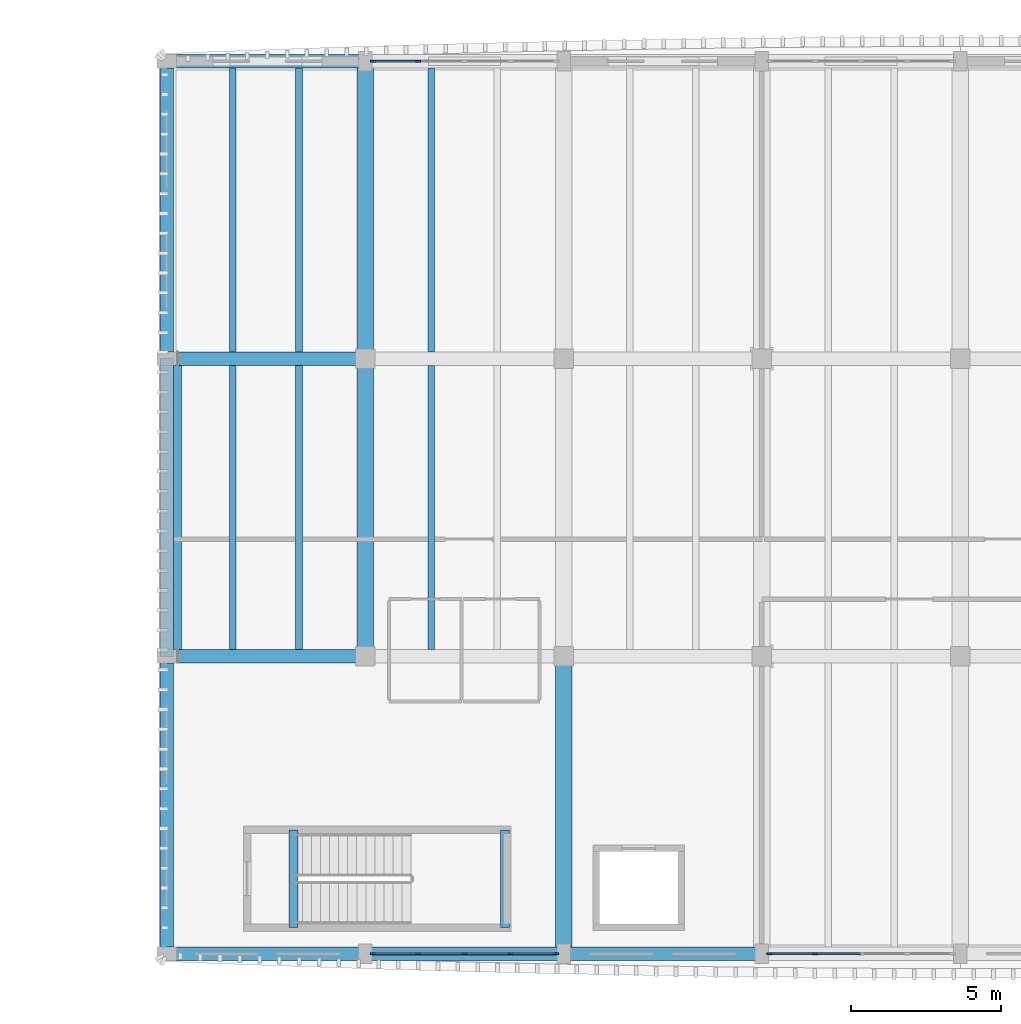
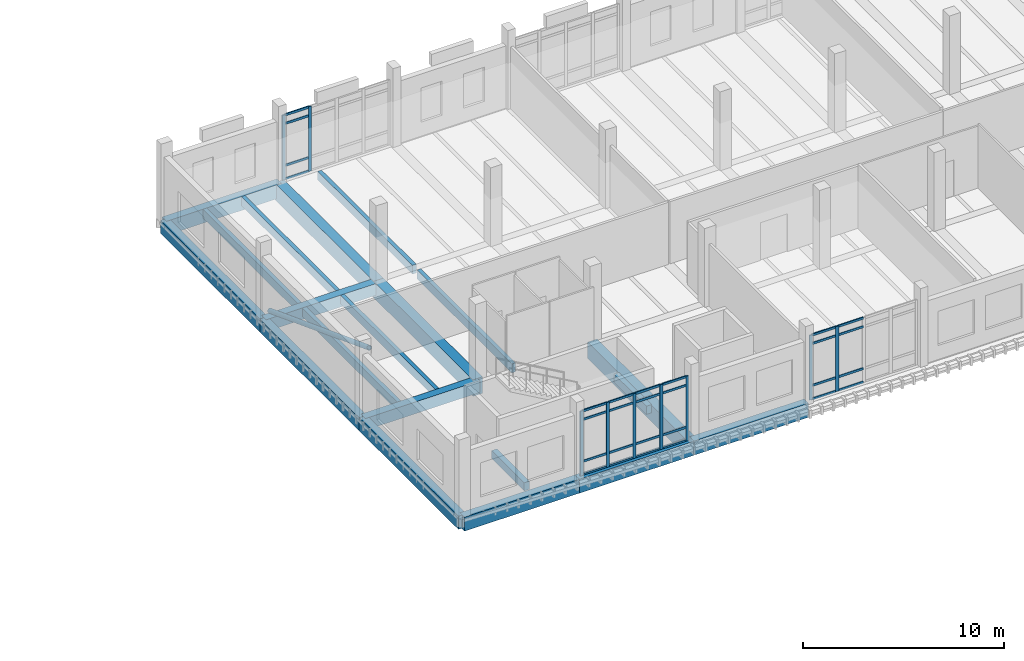
# One storey, part 8 of 39: 38 members, 20 beams, 3 elements without a shape of their own.
"""IFC4 building model written with IfcOpenShell, lengths in metres."""

from ifc_helpers import new_model, si_unit, direction, frame, origin, origin_2d, place, context, subcontext, project, spatial, rectangle, hollow_circle, extrude, material, material_profile, profile_set, type_object, element, aggregate, save


model = new_model("IFC4")

# Units and contexts
model_context = context("Model", 3, precision=1e-05, world=origin(), true_north=direction((0.0, 1.0)))
body_context = subcontext(model_context, "Body", "Model", "MODEL_VIEW")
ifc_project = project(units=[si_unit("LENGTHUNIT", "METRE"), si_unit("AREAUNIT", "SQUARE_METRE"), si_unit("VOLUMEUNIT", "CUBIC_METRE"), si_unit("PLANEANGLEUNIT", "RADIAN"), si_unit("MASSUNIT", "GRAM", prefix="KILO")], contexts=[model_context])

# Site, building, storey
site_placement = place(None, origin())
site = spatial("IfcSite", under=ifc_project, at=site_placement, CompositionType="ELEMENT")
building_placement = place(site_placement, origin())
building = spatial("IfcBuilding", under=site, at=building_placement, Name="Dornvale Research Institute", CompositionType="ELEMENT")
storey_placement = place(building_placement, frame((0.0, 0.0, 24.60009765625)))
storey = spatial("IfcBuildingStorey", under=building, at=storey_placement, Name="L05", CompositionType="ELEMENT", Elevation=24.60009765625)

# Beams
ifc_material_1 = material(Name="Concrete f'c 45 MPa (C35/45)", Category="concrete")
ifc_material_profile_1 = material_profile(ifc_material_1, rectangle(XDim=0.300048828125, YDim=0.5, at=origin_2d()), Name="RC 300x500")
ifc_profile_set_1 = profile_set([ifc_material_profile_1], Name="Concrete f'c 45 MPa (C35/45)")
beam_type_1 = type_object("IfcBeamType", Name="Beam_RC300x500_Trim", PredefinedType="BEAM", material=ifc_profile_set_1)
for number, where, z_axis, x_axis, name in (
    (1, (123.02001953125, 93.280029296875, -0.25), (0.0, 1.0, 0.0), (-1.0, 0.0, 0.0), "L05 ST-3 stair landing trimmer beam #52"),
    (2, (130.050048828125, 93.280029296875, 1.949951171875), (0.0, 1.0, 0.0), (-1.0, 0.0, 0.0), "L05 ST-3 half-landing support beam #61"),
):
    element("IfcBeam", number, at=place(storey_placement, frame(where, z_axis=z_axis, x_axis=x_axis)), inside=storey, type_object=beam_type_1, Name=name, PredefinedType="BEAM", context=body_context, shape_type="SweptSolid", body=[
        extrude(rectangle(XDim=0.300048828125, YDim=0.5, at=origin_2d()), origin(), (0.0, 0.0, 1.0), 3.239990234375),
    ])
ifc_material_2 = material(Name="Concrete f'c 45 MPa (C35/45)", Category="concrete")
ifc_material_profile_2 = material_profile(ifc_material_2, rectangle(XDim=0.449951171875, YDim=0.715087890625, at=origin_2d()), Name="RC 450x715")
ifc_profile_set_2 = profile_set([ifc_material_profile_2], Name="Concrete f'c 45 MPa (C35/45)")
beam_type_2 = type_object("IfcBeamType", Name="Beam_RC450x715_Lab", PredefinedType="BEAM", material=ifc_profile_set_2)
for number, where, z_axis, x_axis, name in (
    (3, (118.800048828125, 102.300048828125, -0.357666015625), (1.0, 0.0, 0.0), (0.0, 1.0, 0.0), "L05 primary girder #1389"),
    (4, (118.800048828125, 112.199951171875, -0.357666015625), (1.0, 0.0, 0.0), (0.0, 1.0, 0.0), "L05 primary girder #1397"),
):
    element("IfcBeam", number, at=place(storey_placement, frame(where, z_axis=z_axis, x_axis=x_axis)), inside=storey, type_object=beam_type_2, Name=name, PredefinedType="BEAM", context=body_context, shape_type="SweptSolid", body=[
        extrude(rectangle(XDim=0.449951171875, YDim=0.715087890625, at=origin_2d()), origin(), (0.0, 0.0, 1.0), 6.599853515625),
    ])
ifc_material_3 = material(Name="Concrete f'c 45 MPa (C35/45)", Category="concrete")
ifc_material_profile_3 = material_profile(ifc_material_3, rectangle(XDim=0.550048828125, YDim=1.0, at=origin_2d()), Name="RC 550x1000")
ifc_profile_set_3 = profile_set([ifc_material_profile_3], Name="Concrete f'c 45 MPa (C35/45)")
beam_type_3 = type_object("IfcBeamType", Name="Beam_RC550x1000_Girder", PredefinedType="BEAM", material=ifc_profile_set_3)
beam_1_placement = place(storey_placement, frame((125.39990234375, 102.300048828125, -0.5), z_axis=(0.0, 1.0, 0.0), x_axis=(-1.0, 0.0, 0.0)))
element("IfcBeam", 5, at=beam_1_placement, inside=storey, type_object=beam_type_3, Name="L05 transverse girder #1416", PredefinedType="BEAM", context=body_context, shape_type="SweptSolid", body=[
    extrude(rectangle(XDim=0.550048828125, YDim=1.0, at=origin_2d()), origin(), (0.0, 0.0, 1.0), 9.89990234375),
])
for number, where, z_axis, x_axis, name in (
    (6, (125.39990234375, 112.199951171875, -0.5), (0.0, 1.0, 0.0), (-1.0, 0.0, 0.0), "L05 transverse girder #1417"),
    (7, (132.0, 92.39990234375, -0.5), (0.0, 1.0, 0.0), (-1.0, 0.0, 0.0), "L05 transverse girder #1418"),
):
    element("IfcBeam", number, at=place(storey_placement, frame(where, z_axis=z_axis, x_axis=x_axis)), inside=storey, type_object=beam_type_3, Name=name, PredefinedType="BEAM", context=body_context, shape_type="SweptSolid", body=[
        extrude(rectangle(XDim=0.550048828125, YDim=1.0, at=origin_2d()), origin(), (0.0, 0.0, 1.0), 9.900146484375),
    ])

# Member
ifc_material_4 = material(Name="Steel ASTM A500 Grade C", Category="steel")
ifc_material_profile_4 = material_profile(ifc_material_4, hollow_circle(Radius=0.136474609375, WallThickness=0.01171875, at=origin_2d()), Name="HSS273X12.7")
ifc_profile_set_4 = profile_set([ifc_material_profile_4], Name="Steel ASTM A500 Grade C")
member_type_1 = type_object("IfcMemberType", Name="Brace_HSS273_Round", PredefinedType="BRACE", material=ifc_profile_set_4)
member_1_placement = place(storey_placement, frame((119.159912109375, 112.199951171875, 0.2998046875), z_axis=(0.0, -0.935158287794, 0.354230118385), x_axis=(1.0, 0.0, 0.0)))
element("IfcMember", 8, at=member_1_placement, inside=storey, type_object=member_type_1, Name="L05 seismic diagonal brace #49", PredefinedType="BRACE", context=body_context, shape_type="SweptSolid", body=[
    extrude(hollow_circle(Radius=0.136474609375, WallThickness=0.01171875, at=origin_2d()), origin(), (0.0, 0.0, 1.0), 10.58642578125),
])

# Beams
ifc_material_5 = material(Name="Concrete f'c 45 MPa (C35/45)", Category="concrete")
ifc_material_profile_5 = material_profile(ifc_material_5, rectangle(XDim=0.219970703125, YDim=0.534912109375, at=origin_2d()), Name="RC 220x535")
ifc_profile_set_5 = profile_set([ifc_material_profile_5], Name="Concrete f'c 45 MPa (C35/45)")
beam_type_4 = type_object("IfcBeamType", Name="Joist_RC220x535_Waffle", PredefinedType="JOIST", material=ifc_profile_set_5)
for number, where, z_axis, x_axis, name in (
    (9, (121.0, 102.52490234375, -0.267578125), (0.0, 1.0, 0.0), (-1.0, 0.0, 0.0), "L05 laboratory waffle joist #658"),
    (10, (123.199951171875, 102.52490234375, -0.267578125), (0.0, 1.0, 0.0), (-1.0, 0.0, 0.0), "L05 laboratory waffle joist #659"),
):
    element("IfcBeam", number, at=place(storey_placement, frame(where, z_axis=z_axis, x_axis=x_axis)), inside=storey, type_object=beam_type_4, Name=name, PredefinedType="JOIST", context=body_context, shape_type="SweptSolid", body=[
        extrude(rectangle(XDim=0.219970703125, YDim=0.534912109375, at=origin_2d()), origin(), (0.0, 0.0, 1.0), 9.4501953125),
    ])
for number, where, z_axis, x_axis, name in (
    (11, (121.0, 112.425048828125, -0.267578125), (0.0, 1.0, 0.0), (-1.0, 0.0, 0.0), "L05 laboratory waffle joist #660"),
    (12, (123.199951171875, 112.425048828125, -0.267578125), (0.0, 1.0, 0.0), (-1.0, 0.0, 0.0), "L05 laboratory waffle joist #661"),
):
    element("IfcBeam", number, at=place(storey_placement, frame(where, z_axis=z_axis, x_axis=x_axis)), inside=storey, type_object=beam_type_4, Name=name, PredefinedType="JOIST", context=body_context, shape_type="SweptSolid", body=[
        extrude(rectangle(XDim=0.219970703125, YDim=0.534912109375, at=origin_2d()), origin(), (0.0, 0.0, 1.0), 9.449951171875),
    ])
beam_2_placement = place(storey_placement, frame((127.60009765625, 102.52490234375, -0.267578125), z_axis=(0.0, 1.0, 0.0), x_axis=(-1.0, 0.0, 0.0)))
element("IfcBeam", 13, at=beam_2_placement, inside=storey, type_object=beam_type_4, Name="L05 laboratory waffle joist #662", PredefinedType="JOIST", context=body_context, shape_type="SweptSolid", body=[
    extrude(rectangle(XDim=0.219970703125, YDim=0.534912109375, at=origin_2d()), origin(), (0.0, 0.0, 1.0), 9.4501953125),
])
beam_3_placement = place(storey_placement, frame((127.60009765625, 112.425048828125, -0.267578125), z_axis=(0.0, 1.0, 0.0), x_axis=(-1.0, 0.0, 0.0)))
element("IfcBeam", 14, at=beam_3_placement, inside=storey, type_object=beam_type_4, Name="L05 laboratory waffle joist #664", PredefinedType="JOIST", context=body_context, shape_type="SweptSolid", body=[
    extrude(rectangle(XDim=0.219970703125, YDim=0.534912109375, at=origin_2d()), origin(), (0.0, 0.0, 1.0), 9.449951171875),
])

# Curtain wall, members
ifc_material_6 = material(Name="Low-E Argon Double Insulating Glazing Unit", Category="glass")
curtain_wall_type = type_object("IfcCurtainWallType", Name="UnitisedCurtainWall_V4_6150x3950", PredefinedType="USERDEFINED", material=ifc_material_6)
curtain_wall_1_placement = place(storey_placement, origin())
curtain_wall_1 = element("IfcCurtainWall", 15, at=curtain_wall_1_placement, inside=storey, type_object=curtain_wall_type, Name="L05 V4 unitised curtain wall CW-15 #109", ObjectType="UNITISED CURTAIN WALL", PredefinedType="USERDEFINED")
ifc_material_7 = material(Name="Anodized Aluminum AA 6063-T6 Thermally Broken Frame", Category="aluminium")
ifc_material_profile_6 = material_profile(ifc_material_7, rectangle(XDim=0.06494140625, YDim=0.179931640625, at=origin_2d()), Name="ALU MULLION 65x180")
ifc_profile_set_6 = profile_set([ifc_material_profile_6], Name="Anodized Aluminum AA 6063-T6 Thermally Broken Frame")
member_type_2 = type_object("IfcMemberType", Name="Mullion_CW_65x180", PredefinedType="MULLION", material=ifc_profile_set_6)
member_2_placement = place(storey_placement, frame((125.657470703125, 122.10009765625, 0.0), z_axis=(0.0, 0.0, 1.0), x_axis=(0.0, 1.0, 0.0)))
member_2 = element("IfcMember", 16, at=member_2_placement, type_object=member_type_2, Name="CW-15 mullion 1", PredefinedType="MULLION", context=body_context, shape_type="SweptSolid", body=[
    extrude(rectangle(XDim=0.06494140625, YDim=0.179931640625, at=origin_2d()), origin(), (0.0, 0.0, 1.0), 3.949951171875),
])
member_3_placement = place(storey_placement, frame((127.16259765625, 122.10009765625, 0.0), z_axis=(0.0, 0.0, 1.0), x_axis=(0.0, 1.0, 0.0)))
member_3 = element("IfcMember", 17, at=member_3_placement, type_object=member_type_2, Name="CW-15 mullion 2", PredefinedType="MULLION", context=body_context, shape_type="SweptSolid", body=[
    extrude(rectangle(XDim=0.06494140625, YDim=0.179931640625, at=origin_2d()), origin(), (0.0, 0.0, 1.0), 3.949951171875),
])

curtain_wall_2_placement = place(storey_placement, origin())
curtain_wall_2 = element("IfcCurtainWall", 18, at=curtain_wall_2_placement, inside=storey, type_object=curtain_wall_type, Name="L05 V4 unitised curtain wall CW-15 #115", ObjectType="UNITISED CURTAIN WALL", PredefinedType="USERDEFINED")
member_4_placement = place(storey_placement, frame((140.362548828125, 92.39990234375, 0.0), z_axis=(0.0, 0.0, 1.0), x_axis=(0.0, -1.0, 0.0)))
member_4 = element("IfcMember", 19, at=member_4_placement, type_object=member_type_2, Name="CW-15 mullion 4", PredefinedType="MULLION", context=body_context, shape_type="SweptSolid", body=[
    extrude(rectangle(XDim=0.06494140625, YDim=0.179931640625, at=origin_2d()), origin(), (0.0, 0.0, 1.0), 3.949951171875),
])
member_5_placement = place(storey_placement, frame((138.857421875, 92.39990234375, 0.0), z_axis=(0.0, 0.0, 1.0), x_axis=(0.0, -1.0, 0.0)))
member_5 = element("IfcMember", 20, at=member_5_placement, type_object=member_type_2, Name="CW-15 mullion 5", PredefinedType="MULLION", context=body_context, shape_type="SweptSolid", body=[
    extrude(rectangle(XDim=0.06494140625, YDim=0.179931640625, at=origin_2d()), origin(), (0.0, 0.0, 1.0), 3.949951171875),
])

curtain_wall_3_placement = place(storey_placement, origin())
curtain_wall_3 = element("IfcCurtainWall", 21, at=curtain_wall_3_placement, inside=storey, type_object=curtain_wall_type, Name="L05 V4 unitised curtain wall CW-15 #116", ObjectType="UNITISED CURTAIN WALL", PredefinedType="USERDEFINED")
member_6_placement = place(storey_placement, frame((131.742431640625, 92.39990234375, 0.0), z_axis=(0.0, 0.0, 1.0), x_axis=(0.0, -1.0, 0.0)))
member_6 = element("IfcMember", 22, at=member_6_placement, type_object=member_type_2, Name="CW-15 mullion 1", PredefinedType="MULLION", context=body_context, shape_type="SweptSolid", body=[
    extrude(rectangle(XDim=0.06494140625, YDim=0.179931640625, at=origin_2d()), origin(), (0.0, 0.0, 1.0), 3.949951171875),
])
member_7_placement = place(storey_placement, frame((130.237548828125, 92.39990234375, 0.0), z_axis=(0.0, 0.0, 1.0), x_axis=(0.0, -1.0, 0.0)))
member_7 = element("IfcMember", 23, at=member_7_placement, type_object=member_type_2, Name="CW-15 mullion 2", PredefinedType="MULLION", context=body_context, shape_type="SweptSolid", body=[
    extrude(rectangle(XDim=0.06494140625, YDim=0.179931640625, at=origin_2d()), origin(), (0.0, 0.0, 1.0), 3.949951171875),
])
member_8_placement = place(storey_placement, frame((128.699951171875, 92.39990234375, 0.0), z_axis=(0.0, 0.0, 1.0), x_axis=(0.0, -1.0, 0.0)))
member_8 = element("IfcMember", 24, at=member_8_placement, type_object=member_type_2, Name="CW-15 mullion 3", PredefinedType="MULLION", context=body_context, shape_type="SweptSolid", body=[
    extrude(rectangle(XDim=0.06494140625, YDim=0.179931640625, at=origin_2d()), origin(), (0.0, 0.0, 1.0), 3.949951171875),
])
member_9_placement = place(storey_placement, frame((127.16259765625, 92.39990234375, 0.0), z_axis=(0.0, 0.0, 1.0), x_axis=(0.0, -1.0, 0.0)))
member_9 = element("IfcMember", 25, at=member_9_placement, type_object=member_type_2, Name="CW-15 mullion 4", PredefinedType="MULLION", context=body_context, shape_type="SweptSolid", body=[
    extrude(rectangle(XDim=0.06494140625, YDim=0.179931640625, at=origin_2d()), origin(), (0.0, 0.0, 1.0), 3.949951171875),
])
member_10_placement = place(storey_placement, frame((125.657470703125, 92.39990234375, 0.0), z_axis=(0.0, 0.0, 1.0), x_axis=(0.0, -1.0, 0.0)))
member_10 = element("IfcMember", 26, at=member_10_placement, type_object=member_type_2, Name="CW-15 mullion 5", PredefinedType="MULLION", context=body_context, shape_type="SweptSolid", body=[
    extrude(rectangle(XDim=0.06494140625, YDim=0.179931640625, at=origin_2d()), origin(), (0.0, 0.0, 1.0), 3.949951171875),
])

# Beams
ifc_material_8 = material(Name="Concrete f'c 45 MPa (C35/45)", Category="concrete")
ifc_material_profile_7 = material_profile(ifc_material_8, rectangle(XDim=0.449951171875, YDim=0.800048828125, at=origin_2d()), Name="RC 450x800")
ifc_profile_set_7 = profile_set([ifc_material_profile_7], Name="Concrete f'c 45 MPa (C35/45)")
beam_type_5 = type_object("IfcBeamType", Name="Spandrel_RC450x800_Ext", PredefinedType="SPANDREL", material=ifc_profile_set_7)
beam_4_placement = place(storey_placement, frame((118.800048828125, 92.39990234375, -0.400146484375), z_axis=(0.0, 1.0, 0.0), x_axis=(-1.0, 0.0, 0.0)))
element("IfcBeam", 27, at=beam_4_placement, inside=storey, type_object=beam_type_5, Name="L05 perimeter spandrel #1413", PredefinedType="SPANDREL", context=body_context, shape_type="SweptSolid", body=[
    extrude(rectangle(XDim=0.449951171875, YDim=0.800048828125, at=origin_2d()), origin(), (0.0, 0.0, 1.0), 9.900146484375),
])
beam_5_placement = place(storey_placement, frame((118.800048828125, 102.300048828125, -0.400146484375), z_axis=(0.0, 1.0, 0.0), x_axis=(-1.0, 0.0, 0.0)))
element("IfcBeam", 28, at=beam_5_placement, inside=storey, type_object=beam_type_5, Name="L05 perimeter spandrel #1414", PredefinedType="SPANDREL", context=body_context, shape_type="SweptSolid", body=[
    extrude(rectangle(XDim=0.449951171875, YDim=0.800048828125, at=origin_2d()), origin(), (0.0, 0.0, 1.0), 9.89990234375),
])
beam_6_placement = place(storey_placement, frame((118.800048828125, 112.199951171875, -0.400146484375), z_axis=(0.0, 1.0, 0.0), x_axis=(-1.0, 0.0, 0.0)))
element("IfcBeam", 29, at=beam_6_placement, inside=storey, type_object=beam_type_5, Name="L05 perimeter spandrel #1415", PredefinedType="SPANDREL", context=body_context, shape_type="SweptSolid", body=[
    extrude(rectangle(XDim=0.449951171875, YDim=0.800048828125, at=origin_2d()), origin(), (0.0, 0.0, 1.0), 9.900146484375),
])
ifc_material_9 = material(Name="Concrete f'c 45 MPa (C35/45)", Category="concrete")
ifc_material_profile_8 = material_profile(ifc_material_9, rectangle(XDim=0.449951171875, YDim=0.85009765625, at=origin_2d()), Name="RC 450x850")
ifc_profile_set_8 = profile_set([ifc_material_profile_8], Name="Concrete f'c 45 MPa (C35/45)")
beam_type_6 = type_object("IfcBeamType", Name="Spandrel_RC450x850_Ext", PredefinedType="SPANDREL", material=ifc_profile_set_8)
beam_7_placement = place(storey_placement, frame((118.800048828125, 92.39990234375, -0.425048828125), z_axis=(1.0, 0.0, 0.0), x_axis=(0.0, 1.0, 0.0)))
element("IfcBeam", 30, at=beam_7_placement, inside=storey, type_object=beam_type_6, Name="L05 perimeter spandrel #1381", PredefinedType="SPANDREL", context=body_context, shape_type="SweptSolid", body=[
    extrude(rectangle(XDim=0.449951171875, YDim=0.85009765625, at=origin_2d()), origin(), (0.0, 0.0, 1.0), 6.599853515625),
])
for number, where, z_axis, x_axis, name in (
    (31, (125.39990234375, 92.39990234375, -0.425048828125), (1.0, 0.0, 0.0), (0.0, 1.0, 0.0), "L05 perimeter spandrel #1382"),
    (32, (132.0, 92.39990234375, -0.425048828125), (1.0, 0.0, 0.0), (0.0, 1.0, 0.0), "L05 perimeter spandrel #1383"),
):
    element("IfcBeam", number, at=place(storey_placement, frame(where, z_axis=z_axis, x_axis=x_axis)), inside=storey, type_object=beam_type_6, Name=name, PredefinedType="SPANDREL", context=body_context, shape_type="SweptSolid", body=[
        extrude(rectangle(XDim=0.449951171875, YDim=0.85009765625, at=origin_2d()), origin(), (0.0, 0.0, 1.0), 6.60009765625),
    ])
beam_8_placement = place(storey_placement, frame((118.800048828125, 122.10009765625, -0.425048828125), z_axis=(1.0, 0.0, 0.0), x_axis=(0.0, 1.0, 0.0)))
element("IfcBeam", 33, at=beam_8_placement, inside=storey, type_object=beam_type_6, Name="L05 perimeter spandrel #1405", PredefinedType="SPANDREL", context=body_context, shape_type="SweptSolid", body=[
    extrude(rectangle(XDim=0.449951171875, YDim=0.85009765625, at=origin_2d()), origin(), (0.0, 0.0, 1.0), 6.599853515625),
])

# Member
ifc_material_10 = material(Name="Anodized Aluminum AA 6063-T6 Thermally Broken Frame", Category="aluminium")
ifc_material_profile_9 = material_profile(ifc_material_10, rectangle(XDim=0.06494140625, YDim=0.135009765625, at=origin_2d()), Name="ALU TRANSOM 65x135")
ifc_profile_set_9 = profile_set([ifc_material_profile_9], Name="Anodized Aluminum AA 6063-T6 Thermally Broken Frame")
member_type_3 = type_object("IfcMemberType", Name="Transom_CW_65x135", PredefinedType="USERDEFINED", material=ifc_profile_set_9)
member_11_placement = place(storey_placement, frame((125.68994140625, 122.10009765625, 0.032470703125), z_axis=(1.0, 0.0, 0.0), x_axis=(0.0, 1.0, 0.0)))
member_11 = element("IfcMember", 34, at=member_11_placement, type_object=member_type_3, Name="CW-15 transom 1.1", ObjectType="TRANSOM", PredefinedType="USERDEFINED", context=body_context, shape_type="SweptSolid", body=[
    extrude(rectangle(XDim=0.06494140625, YDim=0.135009765625, at=origin_2d()), origin(), (0.0, 0.0, 1.0), 1.43994140625),
])

member_12_placement = place(storey_placement, frame((125.68994140625, 122.10009765625, 0.849853515625), z_axis=(1.0, 0.0, 0.0), x_axis=(0.0, 1.0, 0.0)))
member_12 = element("IfcMember", 35, at=member_12_placement, type_object=member_type_3, Name="CW-15 transom 1.2", ObjectType="TRANSOM", PredefinedType="USERDEFINED", context=body_context, shape_type="SweptSolid", body=[
    extrude(rectangle(XDim=0.06494140625, YDim=0.135009765625, at=origin_2d()), origin(), (0.0, 0.0, 1.0), 1.43994140625),
])

member_13_placement = place(storey_placement, frame((125.68994140625, 122.10009765625, 3.39990234375), z_axis=(1.0, 0.0, 0.0), x_axis=(0.0, 1.0, 0.0)))
member_13 = element("IfcMember", 36, at=member_13_placement, type_object=member_type_3, Name="CW-15 transom 1.3", ObjectType="TRANSOM", PredefinedType="USERDEFINED", context=body_context, shape_type="SweptSolid", body=[
    extrude(rectangle(XDim=0.06494140625, YDim=0.135009765625, at=origin_2d()), origin(), (0.0, 0.0, 1.0), 1.43994140625),
])

member_14_placement = place(storey_placement, frame((125.68994140625, 122.10009765625, 3.91748046875), z_axis=(1.0, 0.0, 0.0), x_axis=(0.0, 1.0, 0.0)))
member_14 = element("IfcMember", 37, at=member_14_placement, type_object=member_type_3, Name="CW-15 transom 1.4", ObjectType="TRANSOM", PredefinedType="USERDEFINED", context=body_context, shape_type="SweptSolid", body=[
    extrude(rectangle(XDim=0.06494140625, YDim=0.135009765625, at=origin_2d()), origin(), (0.0, 0.0, 1.0), 1.43994140625),
])

aggregate(curtain_wall_1, [member_2, member_3, member_11, member_12, member_13, member_14])

member_15_placement = place(storey_placement, frame((141.867431640625, 92.39990234375, 0.032470703125), z_axis=(-1.0, 0.0, 0.0), x_axis=(0.0, -1.0, 0.0)))
member_15 = element("IfcMember", 38, at=member_15_placement, type_object=member_type_3, Name="CW-15 transom 3.1", ObjectType="TRANSOM", PredefinedType="USERDEFINED", context=body_context, shape_type="SweptSolid", body=[
    extrude(rectangle(XDim=0.06494140625, YDim=0.135009765625, at=origin_2d()), origin(), (0.0, 0.0, 1.0), 1.472412109375),
])

member_16_placement = place(storey_placement, frame((141.867431640625, 92.39990234375, 0.849853515625), z_axis=(-1.0, 0.0, 0.0), x_axis=(0.0, -1.0, 0.0)))
member_16 = element("IfcMember", 39, at=member_16_placement, type_object=member_type_3, Name="CW-15 transom 3.2", ObjectType="TRANSOM", PredefinedType="USERDEFINED", context=body_context, shape_type="SweptSolid", body=[
    extrude(rectangle(XDim=0.06494140625, YDim=0.135009765625, at=origin_2d()), origin(), (0.0, 0.0, 1.0), 1.472412109375),
])

member_17_placement = place(storey_placement, frame((141.867431640625, 92.39990234375, 3.39990234375), z_axis=(-1.0, 0.0, 0.0), x_axis=(0.0, -1.0, 0.0)))
member_17 = element("IfcMember", 40, at=member_17_placement, type_object=member_type_3, Name="CW-15 transom 3.3", ObjectType="TRANSOM", PredefinedType="USERDEFINED", context=body_context, shape_type="SweptSolid", body=[
    extrude(rectangle(XDim=0.06494140625, YDim=0.135009765625, at=origin_2d()), origin(), (0.0, 0.0, 1.0), 1.472412109375),
])

member_18_placement = place(storey_placement, frame((141.867431640625, 92.39990234375, 3.91748046875), z_axis=(-1.0, 0.0, 0.0), x_axis=(0.0, -1.0, 0.0)))
member_18 = element("IfcMember", 41, at=member_18_placement, type_object=member_type_3, Name="CW-15 transom 3.4", ObjectType="TRANSOM", PredefinedType="USERDEFINED", context=body_context, shape_type="SweptSolid", body=[
    extrude(rectangle(XDim=0.06494140625, YDim=0.135009765625, at=origin_2d()), origin(), (0.0, 0.0, 1.0), 1.472412109375),
])

member_19_placement = place(storey_placement, frame((140.330078125, 92.39990234375, 0.032470703125), z_axis=(-1.0, 0.0, 0.0), x_axis=(0.0, -1.0, 0.0)))
member_19 = element("IfcMember", 42, at=member_19_placement, type_object=member_type_3, Name="CW-15 transom 4.1", ObjectType="TRANSOM", PredefinedType="USERDEFINED", context=body_context, shape_type="SweptSolid", body=[
    extrude(rectangle(XDim=0.06494140625, YDim=0.135009765625, at=origin_2d()), origin(), (0.0, 0.0, 1.0), 1.440185546875),
])

member_20_placement = place(storey_placement, frame((140.330078125, 92.39990234375, 0.849853515625), z_axis=(-1.0, 0.0, 0.0), x_axis=(0.0, -1.0, 0.0)))
member_20 = element("IfcMember", 43, at=member_20_placement, type_object=member_type_3, Name="CW-15 transom 4.2", ObjectType="TRANSOM", PredefinedType="USERDEFINED", context=body_context, shape_type="SweptSolid", body=[
    extrude(rectangle(XDim=0.06494140625, YDim=0.135009765625, at=origin_2d()), origin(), (0.0, 0.0, 1.0), 1.440185546875),
])

member_21_placement = place(storey_placement, frame((140.330078125, 92.39990234375, 3.39990234375), z_axis=(-1.0, 0.0, 0.0), x_axis=(0.0, -1.0, 0.0)))
member_21 = element("IfcMember", 44, at=member_21_placement, type_object=member_type_3, Name="CW-15 transom 4.3", ObjectType="TRANSOM", PredefinedType="USERDEFINED", context=body_context, shape_type="SweptSolid", body=[
    extrude(rectangle(XDim=0.06494140625, YDim=0.135009765625, at=origin_2d()), origin(), (0.0, 0.0, 1.0), 1.440185546875),
])

member_22_placement = place(storey_placement, frame((140.330078125, 92.39990234375, 3.91748046875), z_axis=(-1.0, 0.0, 0.0), x_axis=(0.0, -1.0, 0.0)))
member_22 = element("IfcMember", 45, at=member_22_placement, type_object=member_type_3, Name="CW-15 transom 4.4", ObjectType="TRANSOM", PredefinedType="USERDEFINED", context=body_context, shape_type="SweptSolid", body=[
    extrude(rectangle(XDim=0.06494140625, YDim=0.135009765625, at=origin_2d()), origin(), (0.0, 0.0, 1.0), 1.440185546875),
])

aggregate(curtain_wall_2, [member_4, member_5, member_15, member_16, member_17, member_18, member_19, member_20, member_21, member_22])

member_23_placement = place(storey_placement, frame((131.7099609375, 92.39990234375, 0.032470703125), z_axis=(-1.0, 0.0, 0.0), x_axis=(0.0, -1.0, 0.0)))
member_23 = element("IfcMember", 46, at=member_23_placement, type_object=member_type_3, Name="CW-15 transom 1.1", ObjectType="TRANSOM", PredefinedType="USERDEFINED", context=body_context, shape_type="SweptSolid", body=[
    extrude(rectangle(XDim=0.06494140625, YDim=0.135009765625, at=origin_2d()), origin(), (0.0, 0.0, 1.0), 1.43994140625),
])

member_24_placement = place(storey_placement, frame((131.7099609375, 92.39990234375, 0.849853515625), z_axis=(-1.0, 0.0, 0.0), x_axis=(0.0, -1.0, 0.0)))
member_24 = element("IfcMember", 47, at=member_24_placement, type_object=member_type_3, Name="CW-15 transom 1.2", ObjectType="TRANSOM", PredefinedType="USERDEFINED", context=body_context, shape_type="SweptSolid", body=[
    extrude(rectangle(XDim=0.06494140625, YDim=0.135009765625, at=origin_2d()), origin(), (0.0, 0.0, 1.0), 1.43994140625),
])

member_25_placement = place(storey_placement, frame((131.7099609375, 92.39990234375, 3.39990234375), z_axis=(-1.0, 0.0, 0.0), x_axis=(0.0, -1.0, 0.0)))
member_25 = element("IfcMember", 48, at=member_25_placement, type_object=member_type_3, Name="CW-15 transom 1.3", ObjectType="TRANSOM", PredefinedType="USERDEFINED", context=body_context, shape_type="SweptSolid", body=[
    extrude(rectangle(XDim=0.06494140625, YDim=0.135009765625, at=origin_2d()), origin(), (0.0, 0.0, 1.0), 1.43994140625),
])

member_26_placement = place(storey_placement, frame((131.7099609375, 92.39990234375, 3.91748046875), z_axis=(-1.0, 0.0, 0.0), x_axis=(0.0, -1.0, 0.0)))
member_26 = element("IfcMember", 49, at=member_26_placement, type_object=member_type_3, Name="CW-15 transom 1.4", ObjectType="TRANSOM", PredefinedType="USERDEFINED", context=body_context, shape_type="SweptSolid", body=[
    extrude(rectangle(XDim=0.06494140625, YDim=0.135009765625, at=origin_2d()), origin(), (0.0, 0.0, 1.0), 1.43994140625),
])

member_27_placement = place(storey_placement, frame((130.205078125, 92.39990234375, 0.032470703125), z_axis=(-1.0, 0.0, 0.0), x_axis=(0.0, -1.0, 0.0)))
member_27 = element("IfcMember", 50, at=member_27_placement, type_object=member_type_3, Name="CW-15 transom 2.1", ObjectType="TRANSOM", PredefinedType="USERDEFINED", context=body_context, shape_type="SweptSolid", body=[
    extrude(rectangle(XDim=0.06494140625, YDim=0.135009765625, at=origin_2d()), origin(), (0.0, 0.0, 1.0), 1.47265625),
])

member_28_placement = place(storey_placement, frame((130.205078125, 92.39990234375, 0.849853515625), z_axis=(-1.0, 0.0, 0.0), x_axis=(0.0, -1.0, 0.0)))
member_28 = element("IfcMember", 51, at=member_28_placement, type_object=member_type_3, Name="CW-15 transom 2.2", ObjectType="TRANSOM", PredefinedType="USERDEFINED", context=body_context, shape_type="SweptSolid", body=[
    extrude(rectangle(XDim=0.06494140625, YDim=0.135009765625, at=origin_2d()), origin(), (0.0, 0.0, 1.0), 1.47265625),
])

member_29_placement = place(storey_placement, frame((130.205078125, 92.39990234375, 3.39990234375), z_axis=(-1.0, 0.0, 0.0), x_axis=(0.0, -1.0, 0.0)))
member_29 = element("IfcMember", 52, at=member_29_placement, type_object=member_type_3, Name="CW-15 transom 2.3", ObjectType="TRANSOM", PredefinedType="USERDEFINED", context=body_context, shape_type="SweptSolid", body=[
    extrude(rectangle(XDim=0.06494140625, YDim=0.135009765625, at=origin_2d()), origin(), (0.0, 0.0, 1.0), 1.47265625),
])

member_30_placement = place(storey_placement, frame((130.205078125, 92.39990234375, 3.91748046875), z_axis=(-1.0, 0.0, 0.0), x_axis=(0.0, -1.0, 0.0)))
member_30 = element("IfcMember", 53, at=member_30_placement, type_object=member_type_3, Name="CW-15 transom 2.4", ObjectType="TRANSOM", PredefinedType="USERDEFINED", context=body_context, shape_type="SweptSolid", body=[
    extrude(rectangle(XDim=0.06494140625, YDim=0.135009765625, at=origin_2d()), origin(), (0.0, 0.0, 1.0), 1.47265625),
])

member_31_placement = place(storey_placement, frame((128.66748046875, 92.39990234375, 0.032470703125), z_axis=(-1.0, 0.0, 0.0), x_axis=(0.0, -1.0, 0.0)))
member_31 = element("IfcMember", 54, at=member_31_placement, type_object=member_type_3, Name="CW-15 transom 3.1", ObjectType="TRANSOM", PredefinedType="USERDEFINED", context=body_context, shape_type="SweptSolid", body=[
    extrude(rectangle(XDim=0.06494140625, YDim=0.135009765625, at=origin_2d()), origin(), (0.0, 0.0, 1.0), 1.472412109375),
])

member_32_placement = place(storey_placement, frame((128.66748046875, 92.39990234375, 0.849853515625), z_axis=(-1.0, 0.0, 0.0), x_axis=(0.0, -1.0, 0.0)))
member_32 = element("IfcMember", 55, at=member_32_placement, type_object=member_type_3, Name="CW-15 transom 3.2", ObjectType="TRANSOM", PredefinedType="USERDEFINED", context=body_context, shape_type="SweptSolid", body=[
    extrude(rectangle(XDim=0.06494140625, YDim=0.135009765625, at=origin_2d()), origin(), (0.0, 0.0, 1.0), 1.472412109375),
])

member_33_placement = place(storey_placement, frame((128.66748046875, 92.39990234375, 3.39990234375), z_axis=(-1.0, 0.0, 0.0), x_axis=(0.0, -1.0, 0.0)))
member_33 = element("IfcMember", 56, at=member_33_placement, type_object=member_type_3, Name="CW-15 transom 3.3", ObjectType="TRANSOM", PredefinedType="USERDEFINED", context=body_context, shape_type="SweptSolid", body=[
    extrude(rectangle(XDim=0.06494140625, YDim=0.135009765625, at=origin_2d()), origin(), (0.0, 0.0, 1.0), 1.472412109375),
])

member_34_placement = place(storey_placement, frame((128.66748046875, 92.39990234375, 3.91748046875), z_axis=(-1.0, 0.0, 0.0), x_axis=(0.0, -1.0, 0.0)))
member_34 = element("IfcMember", 57, at=member_34_placement, type_object=member_type_3, Name="CW-15 transom 3.4", ObjectType="TRANSOM", PredefinedType="USERDEFINED", context=body_context, shape_type="SweptSolid", body=[
    extrude(rectangle(XDim=0.06494140625, YDim=0.135009765625, at=origin_2d()), origin(), (0.0, 0.0, 1.0), 1.472412109375),
])

member_35_placement = place(storey_placement, frame((127.1298828125, 92.39990234375, 0.032470703125), z_axis=(-1.0, 0.0, 0.0), x_axis=(0.0, -1.0, 0.0)))
member_35 = element("IfcMember", 58, at=member_35_placement, type_object=member_type_3, Name="CW-15 transom 4.1", ObjectType="TRANSOM", PredefinedType="USERDEFINED", context=body_context, shape_type="SweptSolid", body=[
    extrude(rectangle(XDim=0.06494140625, YDim=0.135009765625, at=origin_2d()), origin(), (0.0, 0.0, 1.0), 1.43994140625),
])

member_36_placement = place(storey_placement, frame((127.1298828125, 92.39990234375, 0.849853515625), z_axis=(-1.0, 0.0, 0.0), x_axis=(0.0, -1.0, 0.0)))
member_36 = element("IfcMember", 59, at=member_36_placement, type_object=member_type_3, Name="CW-15 transom 4.2", ObjectType="TRANSOM", PredefinedType="USERDEFINED", context=body_context, shape_type="SweptSolid", body=[
    extrude(rectangle(XDim=0.06494140625, YDim=0.135009765625, at=origin_2d()), origin(), (0.0, 0.0, 1.0), 1.43994140625),
])

member_37_placement = place(storey_placement, frame((127.1298828125, 92.39990234375, 3.39990234375), z_axis=(-1.0, 0.0, 0.0), x_axis=(0.0, -1.0, 0.0)))
member_37 = element("IfcMember", 60, at=member_37_placement, type_object=member_type_3, Name="CW-15 transom 4.3", ObjectType="TRANSOM", PredefinedType="USERDEFINED", context=body_context, shape_type="SweptSolid", body=[
    extrude(rectangle(XDim=0.06494140625, YDim=0.135009765625, at=origin_2d()), origin(), (0.0, 0.0, 1.0), 1.43994140625),
])

member_38_placement = place(storey_placement, frame((127.1298828125, 92.39990234375, 3.91748046875), z_axis=(-1.0, 0.0, 0.0), x_axis=(0.0, -1.0, 0.0)))
member_38 = element("IfcMember", 61, at=member_38_placement, type_object=member_type_3, Name="CW-15 transom 4.4", ObjectType="TRANSOM", PredefinedType="USERDEFINED", context=body_context, shape_type="SweptSolid", body=[
    extrude(rectangle(XDim=0.06494140625, YDim=0.135009765625, at=origin_2d()), origin(), (0.0, 0.0, 1.0), 1.43994140625),
])

aggregate(curtain_wall_3, [member_6, member_7, member_8, member_9, member_10, member_23, member_24, member_25, member_26, member_27, member_28, member_29, member_30, member_31, member_32, member_33, member_34, member_35, member_36, member_37, member_38])

save(model, "model.ifc")
